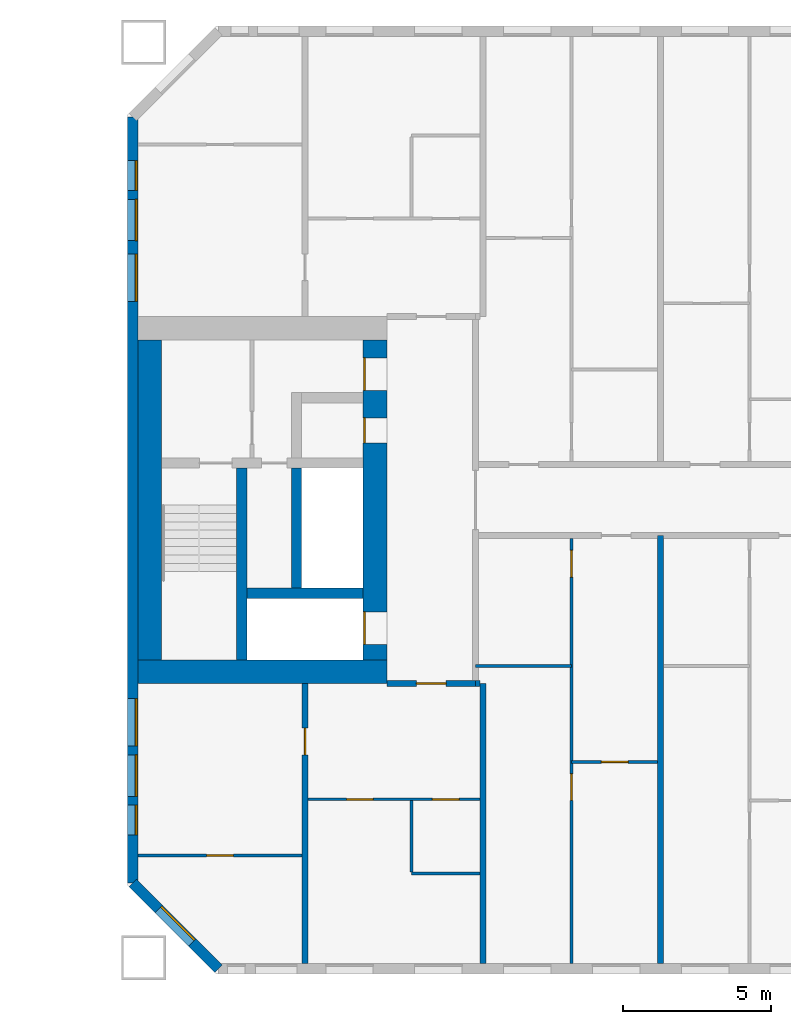
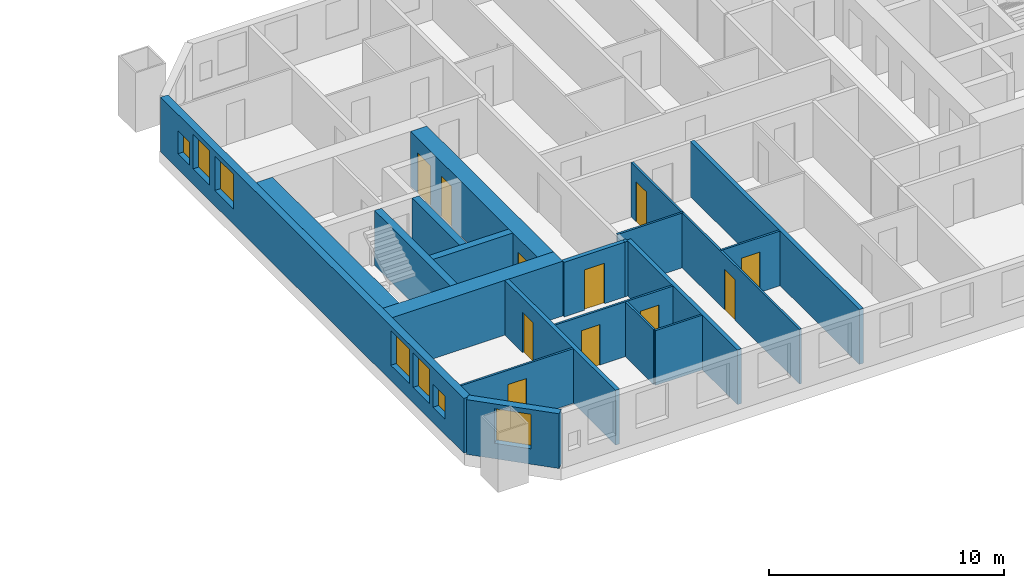
# One storey, part 9 of 17: 20 walls, 11 doors, 7 windows, 18 openings.
"""IFC4 building model written with IfcOpenShell, lengths in metres."""

from ifc_helpers import new_model, si_unit, direction, frame, frame_2d, origin, place, context, subcontext, project, spatial, rectangle, extrude, material, layer, layer_set, type_object, element, fill, save


model = new_model("IFC4")

# Units and contexts
model_context = context("Model", 3, precision=1e-05, world=origin(), true_north=direction((0.0, 1.0)))
body_context = subcontext(model_context, "Body", "Model", "MODEL_VIEW")
ifc_project = project(units=[si_unit("LENGTHUNIT", "METRE"), si_unit("AREAUNIT", "SQUARE_METRE"), si_unit("VOLUMEUNIT", "CUBIC_METRE"), si_unit("PLANEANGLEUNIT", "RADIAN"), si_unit("MASSUNIT", "GRAM", prefix="KILO")], contexts=[model_context])

# Site, building, storey
site_placement = place(None, origin())
site = spatial("IfcSite", under=ifc_project, at=site_placement, CompositionType="ELEMENT")
building_placement = place(site_placement, origin())
building = spatial("IfcBuilding", under=site, at=building_placement, Name="Tuart Gate Housing", CompositionType="ELEMENT")
storey_placement = place(building_placement, frame((0.0, 0.0, 44.300048828125)))
storey = spatial("IfcBuildingStorey", under=building, at=storey_placement, Name="L11", CompositionType="ELEMENT", Elevation=44.300048828125)

# Wall, opening, window
ifc_material_1 = material(Name="Brick", Category="masonry")
ifc_layer_1 = layer(ifc_material_1, 0.360107421875)
ifc_layer_set_1 = layer_set([ifc_layer_1], Name="Brick pier and spandrel wall 360")
wall_type_1 = type_object("IfcWallType", Name="Brick pier and spandrel wall 360", PredefinedType="STANDARD", material=ifc_layer_set_1)
wall_1_placement = place(storey_placement, frame((131.179931640625, 57.07470703125, 0.0), z_axis=(0.0, 0.0, 1.0), x_axis=(0.707106781187, -0.707106781187, 0.0)))
wall_1 = element("IfcWall", 1, at=wall_1_placement, inside=storey, type_object=wall_type_1, Name="External wall B-SW L11", PredefinedType="STANDARD", context=body_context, shape_type="SweptSolid", body=[
    extrude(rectangle(XDim=4.09375, YDim=0.360107421875, at=frame_2d((2.046875, 0.0))), origin(), (0.0, 0.0, 1.0), 2.849853515625),
])
opening_1_placement = place(wall_1_placement, frame((1.2470703125, 0.0, 0.800048828125)))
opening_1 = element("IfcOpeningElement", 2, at=opening_1_placement, cuts=wall_1, Name="Opening W1", PredefinedType="OPENING", context=body_context, shape_type="SweptSolid", body=[
    extrude(rectangle(XDim=1.60009765625, YDim=1.800048828125, at=frame_2d((0.800048828125, 0.89990234375))), frame((0.0, 0.18994140625, 0.0), z_axis=(0.0, -1.0, 0.0), x_axis=(1.0, 0.0, 0.0)), (0.0, 0.0, 1.0), 0.380126953125),
])
ifc_material_2 = material(Name="Aluminium frame with clear glass", Category="aluminium")
window_type_1 = type_object("IfcWindowType", Name="Punched window 1600 x 1800", PartitioningType="SINGLE_PANEL", PredefinedType="WINDOW", material=ifc_material_2)
window_1_placement = place(opening_1_placement, origin())
window_1 = element("IfcWindow", 3, at=window_1_placement, inside=storey, type_object=window_type_1, Name="Window W1", OverallHeight=1.800048828125, OverallWidth=1.60009765625, PartitioningType="SINGLE_PANEL", PredefinedType="WINDOW", context=body_context, shape_type="SweptSolid", body=[
    extrude(rectangle(XDim=1.60009765625, YDim=1.800048828125, at=frame_2d((0.800048828125, 0.89990234375))), frame((0.0, 0.150146484375, 0.0), z_axis=(0.0, -1.0, 0.0), x_axis=(1.0, 0.0, 0.0)), (0.0, 0.0, 1.0), 0.06005859375),
])
fill(opening_1, window_1)

# Wall, openings, windows
wall_2_placement = place(storey_placement, frame((131.179931640625, 82.92529296875, 0.0), z_axis=(0.0, 0.0, 1.0), x_axis=(0.0, -1.0, 0.0)))
wall_2 = element("IfcWall", 4, at=wall_2_placement, inside=storey, type_object=wall_type_1, Name="External wall B-W L11", PredefinedType="STANDARD", context=body_context, shape_type="SweptSolid", body=[
    extrude(rectangle(XDim=25.850830078125, YDim=0.360107421875, at=frame_2d((12.92529296875, 0.0))), origin(), (0.0, 0.0, 1.0), 2.849853515625),
])
opening_2_placement = place(wall_2_placement, frame((1.475341796875, 0.0, 0.800048828125)))
opening_2 = element("IfcOpeningElement", 5, at=opening_2_placement, cuts=wall_2, Name="Opening W1O", PredefinedType="OPENING", context=body_context, shape_type="SweptSolid", body=[
    extrude(rectangle(XDim=1.0, YDim=1.199951171875, at=frame_2d((0.5, 0.60009765625))), frame((0.0, 0.18994140625, 0.0), z_axis=(0.0, -1.0, 0.0), x_axis=(1.0, 0.0, 0.0)), (0.0, 0.0, 1.0), 0.380126953125),
])
opening_3_placement = place(wall_2_placement, frame((4.62548828125, 0.0, 0.800048828125)))
opening_3 = element("IfcOpeningElement", 6, at=opening_3_placement, cuts=wall_2, Name="Opening W1", PredefinedType="OPENING", context=body_context, shape_type="SweptSolid", body=[
    extrude(rectangle(XDim=1.60009765625, YDim=1.800048828125, at=frame_2d((0.800048828125, 0.89990234375))), frame((0.0, 0.18994140625, 0.0), z_axis=(0.0, -1.0, 0.0), x_axis=(1.0, 0.0, 0.0)), (0.0, 0.0, 1.0), 0.380126953125),
])
opening_4_placement = place(wall_2_placement, frame((19.62548828125, 0.0, 0.800048828125)))
opening_4 = element("IfcOpeningElement", 7, at=opening_4_placement, cuts=wall_2, Name="Opening W1", PredefinedType="OPENING", context=body_context, shape_type="SweptSolid", body=[
    extrude(rectangle(XDim=1.60009765625, YDim=1.800048828125, at=frame_2d((0.800048828125, 0.89990234375))), frame((0.0, 0.18994140625, 0.0), z_axis=(0.0, -1.0, 0.0), x_axis=(1.0, 0.0, 0.0)), (0.0, 0.0, 1.0), 0.380126953125),
])
opening_5_placement = place(wall_2_placement, frame((21.525390625, 0.0, 0.800048828125)))
opening_5 = element("IfcOpeningElement", 8, at=opening_5_placement, cuts=wall_2, Name="Opening W1A", PredefinedType="OPENING", context=body_context, shape_type="SweptSolid", body=[
    extrude(rectangle(XDim=1.39990234375, YDim=1.800048828125, at=frame_2d((0.699951171875, 0.89990234375))), frame((0.0, 0.18994140625, 0.0), z_axis=(0.0, -1.0, 0.0), x_axis=(1.0, 0.0, 0.0)), (0.0, 0.0, 1.0), 0.380126953125),
])
opening_6_placement = place(wall_2_placement, frame((2.775390625, 0.0, 0.800048828125)))
opening_6 = element("IfcOpeningElement", 9, at=opening_6_placement, cuts=wall_2, Name="Opening W1A", PredefinedType="OPENING", context=body_context, shape_type="SweptSolid", body=[
    extrude(rectangle(XDim=1.39990234375, YDim=1.800048828125, at=frame_2d((0.699951171875, 0.89990234375))), frame((0.0, 0.18994140625, 0.0), z_axis=(0.0, -1.0, 0.0), x_axis=(1.0, 0.0, 0.0)), (0.0, 0.0, 1.0), 0.380126953125),
])
opening_7_placement = place(wall_2_placement, frame((23.225341796875, 0.0, 0.800048828125)))
opening_7 = element("IfcOpeningElement", 10, at=opening_7_placement, cuts=wall_2, Name="Opening W1O", PredefinedType="OPENING", context=body_context, shape_type="SweptSolid", body=[
    extrude(rectangle(XDim=1.0, YDim=1.199951171875, at=frame_2d((0.5, 0.60009765625))), frame((0.0, 0.18994140625, 0.0), z_axis=(0.0, -1.0, 0.0), x_axis=(1.0, 0.0, 0.0)), (0.0, 0.0, 1.0), 0.380126953125),
])
ifc_material_3 = material(Name="Aluminium frame with clear glass", Category="aluminium")
window_type_2 = type_object("IfcWindowType", Name="Punched window 1000 x 1200", PartitioningType="SINGLE_PANEL", PredefinedType="WINDOW", material=ifc_material_3)
window_2_placement = place(opening_2_placement, origin())
window_2 = element("IfcWindow", 11, at=window_2_placement, inside=storey, type_object=window_type_2, Name="Window W1O", OverallHeight=1.199951171875, OverallWidth=1.0, PartitioningType="SINGLE_PANEL", PredefinedType="WINDOW", context=body_context, shape_type="SweptSolid", body=[
    extrude(rectangle(XDim=1.0, YDim=1.199951171875, at=frame_2d((0.5, 0.60009765625))), frame((0.0, 0.150146484375, 0.0), z_axis=(0.0, -1.0, 0.0), x_axis=(1.0, 0.0, 0.0)), (0.0, 0.0, 1.0), 0.06005859375),
])
fill(opening_2, window_2)
window_3_placement = place(opening_7_placement, origin())
window_3 = element("IfcWindow", 12, at=window_3_placement, inside=storey, type_object=window_type_2, Name="Window W1O", OverallHeight=1.199951171875, OverallWidth=1.0, PartitioningType="SINGLE_PANEL", PredefinedType="WINDOW", context=body_context, shape_type="SweptSolid", body=[
    extrude(rectangle(XDim=1.0, YDim=1.199951171875, at=frame_2d((0.5, 0.60009765625))), frame((0.0, 0.150146484375, 0.0), z_axis=(0.0, -1.0, 0.0), x_axis=(1.0, 0.0, 0.0)), (0.0, 0.0, 1.0), 0.06005859375),
])
fill(opening_7, window_3)
ifc_material_4 = material(Name="Aluminium frame with clear glass", Category="aluminium")
window_type_3 = type_object("IfcWindowType", Name="Punched window 1400 x 1800", PartitioningType="SINGLE_PANEL", PredefinedType="WINDOW", material=ifc_material_4)
window_4_placement = place(opening_5_placement, origin())
window_4 = element("IfcWindow", 13, at=window_4_placement, inside=storey, type_object=window_type_3, Name="Window W1A", OverallHeight=1.800048828125, OverallWidth=1.39990234375, PartitioningType="SINGLE_PANEL", PredefinedType="WINDOW", context=body_context, shape_type="SweptSolid", body=[
    extrude(rectangle(XDim=1.39990234375, YDim=1.800048828125, at=frame_2d((0.699951171875, 0.89990234375))), frame((0.0, 0.150146484375, 0.0), z_axis=(0.0, -1.0, 0.0), x_axis=(1.0, 0.0, 0.0)), (0.0, 0.0, 1.0), 0.06005859375),
])
fill(opening_5, window_4)
window_5_placement = place(opening_6_placement, origin())
window_5 = element("IfcWindow", 14, at=window_5_placement, inside=storey, type_object=window_type_3, Name="Window W1A", OverallHeight=1.800048828125, OverallWidth=1.39990234375, PartitioningType="SINGLE_PANEL", PredefinedType="WINDOW", context=body_context, shape_type="SweptSolid", body=[
    extrude(rectangle(XDim=1.39990234375, YDim=1.800048828125, at=frame_2d((0.699951171875, 0.89990234375))), frame((0.0, 0.150146484375, 0.0), z_axis=(0.0, -1.0, 0.0), x_axis=(1.0, 0.0, 0.0)), (0.0, 0.0, 1.0), 0.06005859375),
])
fill(opening_6, window_5)
window_6_placement = place(opening_3_placement, origin())
window_6 = element("IfcWindow", 15, at=window_6_placement, inside=storey, type_object=window_type_1, Name="Window W1", OverallHeight=1.800048828125, OverallWidth=1.60009765625, PartitioningType="SINGLE_PANEL", PredefinedType="WINDOW", context=body_context, shape_type="SweptSolid", body=[
    extrude(rectangle(XDim=1.60009765625, YDim=1.800048828125, at=frame_2d((0.800048828125, 0.89990234375))), frame((0.0, 0.150146484375, 0.0), z_axis=(0.0, -1.0, 0.0), x_axis=(1.0, 0.0, 0.0)), (0.0, 0.0, 1.0), 0.06005859375),
])
fill(opening_3, window_6)
window_7_placement = place(opening_4_placement, origin())
window_7 = element("IfcWindow", 16, at=window_7_placement, inside=storey, type_object=window_type_1, Name="Window W1", OverallHeight=1.800048828125, OverallWidth=1.60009765625, PartitioningType="SINGLE_PANEL", PredefinedType="WINDOW", context=body_context, shape_type="SweptSolid", body=[
    extrude(rectangle(XDim=1.60009765625, YDim=1.800048828125, at=frame_2d((0.800048828125, 0.89990234375))), frame((0.0, 0.150146484375, 0.0), z_axis=(0.0, -1.0, 0.0), x_axis=(1.0, 0.0, 0.0)), (0.0, 0.0, 1.0), 0.06005859375),
])
fill(opening_4, window_7)

# Walls
ifc_material_5 = material(Name="Concrete C60", Category="concrete")
ifc_layer_2 = layer(ifc_material_5, 0.35009765625)
ifc_layer_set_2 = layer_set([ifc_layer_2], Name="Core wall 350 C60")
wall_type_2 = type_object("IfcWallType", Name="Core wall 350 C60", PredefinedType="SHEAR", material=ifc_layer_set_2)
wall_3_placement = place(storey_placement, frame((138.9599609375, 66.85009765625, 0.0), z_axis=(0.0, 0.0, 1.0), x_axis=(-1.0, 0.0, 0.0)))
element("IfcWall", 17, at=wall_3_placement, inside=storey, type_object=wall_type_2, Name="Core wall BG.1", PredefinedType="SHEAR", context=body_context, shape_type="SweptSolid", body=[
    extrude(rectangle(XDim=3.925048828125, YDim=0.35009765625, at=frame_2d((1.96240234375, 0.0))), origin(), (0.0, 0.0, 1.0), 2.849853515625),
])
wall_4_placement = place(storey_placement, frame((136.7099609375, 67.02490234375, 0.0), z_axis=(0.0, 0.0, 1.0), x_axis=(0.0, 1.0, 0.0)))
element("IfcWall", 18, at=wall_4_placement, inside=storey, type_object=wall_type_2, Name="Core wall BG.4", PredefinedType="SHEAR", context=body_context, shape_type="SweptSolid", body=[
    extrude(rectangle(XDim=4.050048828125, YDim=0.35009765625, at=frame_2d((2.02490234375, 0.0))), origin(), (0.0, 0.0, 1.0), 2.849853515625),
])
wall_5_placement = place(storey_placement, frame((134.860107421875, 64.60009765625, 0.0), z_axis=(0.0, 0.0, 1.0), x_axis=(0.0, 1.0, 0.0)))
element("IfcWall", 19, at=wall_5_placement, inside=storey, type_object=wall_type_2, Name="Core wall BG.7", PredefinedType="SHEAR", context=body_context, shape_type="SweptSolid", body=[
    extrude(rectangle(XDim=6.474853515625, YDim=0.35009765625, at=frame_2d((3.2373046875, 0.0))), origin(), (0.0, 0.0, 1.0), 2.849853515625),
])

# Wall, openings, doors
ifc_material_6 = material(Name="Concrete C60", Category="concrete")
ifc_layer_3 = layer(ifc_material_6, 0.800048828125)
ifc_layer_set_3 = layer_set([ifc_layer_3], Name="Core wall 800 C60")
wall_type_3 = type_object("IfcWallType", Name="Core wall 800 C60", PredefinedType="SHEAR", material=ifc_layer_set_3)
wall_6_placement = place(storey_placement, frame((139.360107421875, 64.60009765625, 0.0), z_axis=(0.0, 0.0, 1.0), x_axis=(0.0, 1.0, 0.0)))
wall_6 = element("IfcWall", 20, at=wall_6_placement, inside=storey, type_object=wall_type_3, Name="Core wall BG front", PredefinedType="SHEAR", context=body_context, shape_type="SweptSolid", body=[
    extrude(rectangle(XDim=10.7998046875, YDim=0.800048828125, at=frame_2d((5.39990234375, 0.0))), origin(), (0.0, 0.0, 1.0), 2.849853515625),
])
opening_8_placement = place(wall_6_placement, frame((0.52490234375, 0.0, 0.0)))
opening_8 = element("IfcOpeningElement", 21, at=opening_8_placement, cuts=wall_6, Name="Opening LD-FB1", PredefinedType="OPENING", context=body_context, shape_type="SweptSolid", body=[
    extrude(rectangle(XDim=1.10009765625, YDim=2.10009765625, at=frame_2d((0.550048828125, 1.050048828125))), frame((0.0, 0.409912109375, 0.0), z_axis=(0.0, -1.0, 0.0), x_axis=(1.0, 0.0, 0.0)), (0.0, 0.0, 1.0), 0.820068359375),
])
opening_9_placement = place(wall_6_placement, frame((9.10009765625, 0.0, 0.0)))
opening_9 = element("IfcOpeningElement", 22, at=opening_9_placement, cuts=wall_6, Name="Opening D682", PredefinedType="OPENING", context=body_context, shape_type="SweptSolid", body=[
    extrude(rectangle(XDim=1.10009765625, YDim=2.10009765625, at=frame_2d((0.550048828125, 1.050048828125))), frame((0.0, 0.409912109375, 0.0), z_axis=(0.0, -1.0, 0.0), x_axis=(1.0, 0.0, 0.0)), (0.0, 0.0, 1.0), 0.820068359375),
])
opening_10_placement = place(wall_6_placement, frame((7.324951171875, 0.0, 0.0)))
opening_10 = element("IfcOpeningElement", 23, at=opening_10_placement, cuts=wall_6, Name="Opening D683", PredefinedType="OPENING", context=body_context, shape_type="SweptSolid", body=[
    extrude(rectangle(XDim=0.85009765625, YDim=2.10009765625, at=frame_2d((0.425048828125, 1.050048828125))), frame((0.0, 0.409912109375, 0.0), z_axis=(0.0, -1.0, 0.0), x_axis=(1.0, 0.0, 0.0)), (0.0, 0.0, 1.0), 0.820068359375),
])
ifc_material_7 = material(Name="Stainless steel", Category="steel")
door_type_1 = type_object("IfcDoorType", Name="Landing door 1100 x 2100", OperationType="DOUBLE_DOOR_SLIDING", PredefinedType="DOOR", material=ifc_material_7)
door_1_placement = place(opening_8_placement, origin())
door_1 = element("IfcDoor", 24, at=door_1_placement, inside=storey, type_object=door_type_1, Name="Lift landing door FB1", OperationType="DOUBLE_DOOR_SLIDING", OverallHeight=2.10009765625, OverallWidth=1.10009765625, PredefinedType="DOOR", context=body_context, shape_type="SweptSolid", body=[
    extrude(rectangle(XDim=1.10009765625, YDim=2.10009765625, at=frame_2d((0.550048828125, 1.050048828125))), frame((0.0, 0.38525390625, 0.0), z_axis=(0.0, -1.0, 0.0), x_axis=(1.0, 0.0, 0.0)), (0.0, 0.0, 1.0), 0.050048828125),
])
fill(opening_8, door_1)
ifc_material_8 = material(Name="Steel fire door", Category="steel")
door_type_2 = type_object("IfcDoorType", Name="Lobby door 1100 x 2100", OperationType="SINGLE_SWING_LEFT", PredefinedType="DOOR", material=ifc_material_8)
door_2_placement = place(opening_9_placement, origin())
door_2 = element("IfcDoor", 25, at=door_2_placement, inside=storey, type_object=door_type_2, Name="Lobby entry door BG.EN", OperationType="SINGLE_SWING_LEFT", OverallHeight=2.10009765625, OverallWidth=1.10009765625, PredefinedType="DOOR", context=body_context, shape_type="SweptSolid", body=[
    extrude(rectangle(XDim=1.10009765625, YDim=2.10009765625, at=frame_2d((0.550048828125, 1.050048828125))), frame((0.0, 0.38525390625, 0.0), z_axis=(0.0, -1.0, 0.0), x_axis=(1.0, 0.0, 0.0)), (0.0, 0.0, 1.0), 0.050048828125),
])
fill(opening_9, door_2)
ifc_material_9 = material(Name="Steel fire door", Category="steel")
door_type_3 = type_object("IfcDoorType", Name="Service door 850 x 2100", OperationType="SINGLE_SWING_LEFT", PredefinedType="DOOR", material=ifc_material_9)
door_3_placement = place(opening_10_placement, origin())
door_3 = element("IfcDoor", 26, at=door_3_placement, inside=storey, type_object=door_type_3, Name="Service room door BG.T1", OperationType="SINGLE_SWING_LEFT", OverallHeight=2.10009765625, OverallWidth=0.85009765625, PredefinedType="DOOR", context=body_context, shape_type="SweptSolid", body=[
    extrude(rectangle(XDim=0.85009765625, YDim=2.10009765625, at=frame_2d((0.425048828125, 1.050048828125))), frame((0.0, 0.38525390625, 0.0), z_axis=(0.0, -1.0, 0.0), x_axis=(1.0, 0.0, 0.0)), (0.0, 0.0, 1.0), 0.050048828125),
])
fill(opening_10, door_3)

# Walls
wall_7_placement = place(storey_placement, frame((131.760009765625, 64.60009765625, 0.0), z_axis=(0.0, 0.0, 1.0), x_axis=(0.0, 1.0, 0.0)))
element("IfcWall", 27, at=wall_7_placement, inside=storey, type_object=wall_type_3, Name="Core wall BG back", PredefinedType="SHEAR", context=body_context, shape_type="SweptSolid", body=[
    extrude(rectangle(XDim=10.7998046875, YDim=0.800048828125, at=frame_2d((5.39990234375, 0.0))), origin(), (0.0, 0.0, 1.0), 2.849853515625),
])
wall_8_placement = place(storey_placement, frame((139.760009765625, 64.199951171875, 0.0), z_axis=(0.0, 0.0, 1.0), x_axis=(-1.0, 0.0, 0.0)))
element("IfcWall", 28, at=wall_8_placement, inside=storey, type_object=wall_type_3, Name="Core wall BG south", PredefinedType="SHEAR", context=body_context, shape_type="SweptSolid", body=[
    extrude(rectangle(XDim=8.39990234375, YDim=0.800048828125, at=frame_2d((4.199951171875, 0.0))), origin(), (0.0, 0.0, 1.0), 2.849853515625),
])

# Wall, opening, door
ifc_material_10 = material(Name="Concrete masonry 15 MPa", Category="masonry")
ifc_layer_4 = layer(ifc_material_10, 0.199951171875)
ifc_layer_set_4 = layer_set([ifc_layer_4], Name="Enclosure wall masonry 200")
wall_type_4 = type_object("IfcWallType", Name="Enclosure wall masonry 200", PredefinedType="PARTITIONING", material=ifc_layer_set_4)
wall_9_placement = place(storey_placement, frame((139.760009765625, 63.800048828125, 0.0), z_axis=(0.0, 0.0, 1.0), x_axis=(1.0, 0.0, 0.0)))
wall_9 = element("IfcWall", 29, at=wall_9_placement, inside=storey, type_object=wall_type_4, Name="Enclosure wall masonry 200", PredefinedType="PARTITIONING", context=body_context, shape_type="SweptSolid", body=[
    extrude(rectangle(XDim=3.0, YDim=0.199951171875, at=frame_2d((1.5, 0.0))), origin(), (0.0, 0.0, 1.0), 2.849853515625),
])
opening_11_placement = place(wall_9_placement, frame((1.0, 0.0, 0.0)))
opening_11 = element("IfcOpeningElement", 30, at=opening_11_placement, cuts=wall_9, Name="Opening D694", PredefinedType="OPENING", context=body_context, shape_type="SweptSolid", body=[
    extrude(rectangle(XDim=1.0, YDim=2.10009765625, at=frame_2d((0.5, 1.050048828125))), frame((0.0, 0.10986328125, 0.0), z_axis=(0.0, -1.0, 0.0), x_axis=(1.0, 0.0, 0.0)), (0.0, 0.0, 1.0), 0.219970703125),
])
ifc_material_11 = material(Name="Timber door leaf in steel frame", Category="steel")
door_type_4 = type_object("IfcDoorType", Name="Flat entrance door 1000", OperationType="SINGLE_SWING_LEFT", PredefinedType="DOOR", material=ifc_material_11)
door_4_placement = place(opening_11_placement, frame((1.0, 0.0, 0.0), z_axis=(0.0, 0.0, 1.0), x_axis=(-1.0, 0.0, 0.0)))
door_4 = element("IfcDoor", 31, at=door_4_placement, inside=storey, type_object=door_type_4, Name="Flat entrance door", OperationType="SINGLE_SWING_LEFT", OverallHeight=2.10009765625, OverallWidth=1.0, PredefinedType="DOOR", context=body_context, shape_type="SweptSolid", body=[
    extrude(rectangle(XDim=1.0, YDim=2.10009765625, at=frame_2d((0.5, 1.050048828125))), frame((0.0, 0.025146484375, 0.0), z_axis=(0.0, -1.0, 0.0), x_axis=(1.0, 0.0, 0.0)), (0.0, 0.0, 1.0), 0.050048828125),
])
fill(opening_11, door_4)

# Wall
ifc_material_12 = material(Name="Gypsum board on steel studs", Category="steel")
ifc_layer_5 = layer(ifc_material_12, 0.10009765625)
ifc_layer_set_5 = layer_set([ifc_layer_5], Name="Partition 100")
wall_type_5 = type_object("IfcWallType", Name="Partition 100", PredefinedType="PARTITIONING", material=ifc_layer_set_5)
wall_10_placement = place(storey_placement, frame((140.60009765625, 57.39990234375, 0.0), z_axis=(0.0, 0.0, 1.0), x_axis=(1.0, 0.0, 0.0)))
element("IfcWall", 32, at=wall_10_placement, inside=storey, type_object=wall_type_5, Name="Partition 100", PredefinedType="PARTITIONING", context=body_context, shape_type="SweptSolid", body=[
    extrude(rectangle(XDim=2.2998046875, YDim=0.10009765625, at=frame_2d((1.14990234375, 0.0))), origin(), (0.0, 0.0, 1.0), 2.849853515625),
])

# Wall, opening, door
wall_11_placement = place(storey_placement, frame((131.360107421875, 58.0, 0.0), z_axis=(0.0, 0.0, 1.0), x_axis=(1.0, 0.0, 0.0)))
wall_11 = element("IfcWall", 33, at=wall_11_placement, inside=storey, type_object=wall_type_5, Name="Partition 100", PredefinedType="PARTITIONING", context=body_context, shape_type="SweptSolid", body=[
    extrude(rectangle(XDim=5.539794921875, YDim=0.10009765625, at=frame_2d((2.77001953125, 0.0))), origin(), (0.0, 0.0, 1.0), 2.849853515625),
])
opening_12_placement = place(wall_11_placement, frame((2.320068359375, 0.0, 0.0)))
opening_12 = element("IfcOpeningElement", 34, at=opening_12_placement, cuts=wall_11, Name="Opening D707", PredefinedType="OPENING", context=body_context, shape_type="SweptSolid", body=[
    extrude(rectangle(XDim=0.89990234375, YDim=2.10009765625, at=frame_2d((0.449951171875, 1.050048828125))), frame((0.0, 0.06005859375, 0.0), z_axis=(0.0, -1.0, 0.0), x_axis=(1.0, 0.0, 0.0)), (0.0, 0.0, 1.0), 0.1201171875),
])
ifc_material_13 = material(Name="Timber door leaf in steel frame", Category="steel")
door_type_5 = type_object("IfcDoorType", Name="Internal door 900 RH", OperationType="SINGLE_SWING_RIGHT", PredefinedType="DOOR", material=ifc_material_13)
door_5_placement = place(opening_12_placement, frame((0.89990234375, 0.0, 0.0), z_axis=(0.0, 0.0, 1.0), x_axis=(-1.0, 0.0, 0.0)))
door_5 = element("IfcDoor", 35, at=door_5_placement, inside=storey, type_object=door_type_5, Name="Internal door", OperationType="SINGLE_SWING_RIGHT", OverallHeight=2.10009765625, OverallWidth=0.89990234375, PredefinedType="DOOR", context=body_context, shape_type="SweptSolid", body=[
    extrude(rectangle(XDim=0.89990234375, YDim=2.10009765625, at=frame_2d((0.449951171875, 1.050048828125))), frame((0.0, 0.025146484375, 0.0), z_axis=(0.0, -1.0, 0.0), x_axis=(1.0, 0.0, 0.0)), (0.0, 0.0, 1.0), 0.050048828125),
])
fill(opening_12, door_5)

# Wall, openings, doors
wall_12_placement = place(storey_placement, frame((137.10009765625, 59.89990234375, 0.0), z_axis=(0.0, 0.0, 1.0), x_axis=(1.0, 0.0, 0.0)))
wall_12 = element("IfcWall", 36, at=wall_12_placement, inside=storey, type_object=wall_type_5, Name="Partition 100", PredefinedType="PARTITIONING", context=body_context, shape_type="SweptSolid", body=[
    extrude(rectangle(XDim=5.7998046875, YDim=0.10009765625, at=frame_2d((2.89990234375, 0.0))), origin(), (0.0, 0.0, 1.0), 2.849853515625),
])
opening_13_placement = place(wall_12_placement, frame((1.300048828125, 0.0, 0.0)))
opening_13 = element("IfcOpeningElement", 37, at=opening_13_placement, cuts=wall_12, Name="Opening D704", PredefinedType="OPENING", context=body_context, shape_type="SweptSolid", body=[
    extrude(rectangle(XDim=0.89990234375, YDim=2.10009765625, at=frame_2d((0.449951171875, 1.050048828125))), frame((0.0, 0.06005859375, 0.0), z_axis=(0.0, -1.0, 0.0), x_axis=(1.0, 0.0, 0.0)), (0.0, 0.0, 1.0), 0.1201171875),
])
opening_14_placement = place(wall_12_placement, frame((4.199951171875, 0.0, 0.0)))
opening_14 = element("IfcOpeningElement", 38, at=opening_14_placement, cuts=wall_12, Name="Opening D703", PredefinedType="OPENING", context=body_context, shape_type="SweptSolid", body=[
    extrude(rectangle(XDim=0.89990234375, YDim=2.10009765625, at=frame_2d((0.449951171875, 1.050048828125))), frame((0.0, 0.06005859375, 0.0), z_axis=(0.0, -1.0, 0.0), x_axis=(1.0, 0.0, 0.0)), (0.0, 0.0, 1.0), 0.1201171875),
])
ifc_material_14 = material(Name="Timber door leaf in steel frame", Category="steel")
door_type_6 = type_object("IfcDoorType", Name="Bathroom door 900 RH", OperationType="SINGLE_SWING_RIGHT", PredefinedType="DOOR", material=ifc_material_14)
door_6_placement = place(opening_14_placement, frame((0.89990234375, 0.0, 0.0), z_axis=(0.0, 0.0, 1.0), x_axis=(-1.0, 0.0, 0.0)))
door_6 = element("IfcDoor", 39, at=door_6_placement, inside=storey, type_object=door_type_6, Name="Bathroom door", OperationType="SINGLE_SWING_RIGHT", OverallHeight=2.10009765625, OverallWidth=0.89990234375, PredefinedType="DOOR", context=body_context, shape_type="SweptSolid", body=[
    extrude(rectangle(XDim=0.89990234375, YDim=2.10009765625, at=frame_2d((0.449951171875, 1.050048828125))), frame((0.0, 0.025146484375, 0.0), z_axis=(0.0, -1.0, 0.0), x_axis=(1.0, 0.0, 0.0)), (0.0, 0.0, 1.0), 0.050048828125),
])
fill(opening_14, door_6)
ifc_material_15 = material(Name="Timber door leaf in steel frame", Category="steel")
door_type_7 = type_object("IfcDoorType", Name="Internal door 900", OperationType="SINGLE_SWING_LEFT", PredefinedType="DOOR", material=ifc_material_15)
door_7_placement = place(opening_13_placement, frame((0.89990234375, 0.0, 0.0), z_axis=(0.0, 0.0, 1.0), x_axis=(-1.0, 0.0, 0.0)))
door_7 = element("IfcDoor", 40, at=door_7_placement, inside=storey, type_object=door_type_7, Name="Internal door", OperationType="SINGLE_SWING_LEFT", OverallHeight=2.10009765625, OverallWidth=0.89990234375, PredefinedType="DOOR", context=body_context, shape_type="SweptSolid", body=[
    extrude(rectangle(XDim=0.89990234375, YDim=2.10009765625, at=frame_2d((0.449951171875, 1.050048828125))), frame((0.0, 0.025146484375, 0.0), z_axis=(0.0, -1.0, 0.0), x_axis=(1.0, 0.0, 0.0)), (0.0, 0.0, 1.0), 0.050048828125),
])
fill(opening_13, door_7)

# Wall, opening, door
wall_13_placement = place(storey_placement, frame((146.0, 61.159912109375, 0.0), z_axis=(0.0, 0.0, 1.0), x_axis=(1.0, 0.0, 0.0)))
wall_13 = element("IfcWall", 41, at=wall_13_placement, inside=storey, type_object=wall_type_5, Name="Partition 100", PredefinedType="PARTITIONING", context=body_context, shape_type="SweptSolid", body=[
    extrude(rectangle(XDim=2.89990234375, YDim=0.10009765625, at=frame_2d((1.449951171875, 0.0))), origin(), (0.0, 0.0, 1.0), 2.849853515625),
])
opening_15_placement = place(wall_13_placement, frame((1.0, 0.0, 0.0)))
opening_15 = element("IfcOpeningElement", 42, at=opening_15_placement, cuts=wall_13, Name="Opening D702", PredefinedType="OPENING", context=body_context, shape_type="SweptSolid", body=[
    extrude(rectangle(XDim=0.89990234375, YDim=2.10009765625, at=frame_2d((0.449951171875, 1.050048828125))), frame((0.0, 0.06005859375, 0.0), z_axis=(0.0, -1.0, 0.0), x_axis=(1.0, 0.0, 0.0)), (0.0, 0.0, 1.0), 0.1201171875),
])
door_8_placement = place(opening_15_placement, origin())
door_8 = element("IfcDoor", 43, at=door_8_placement, inside=storey, type_object=door_type_7, Name="Internal door", OperationType="SINGLE_SWING_LEFT", OverallHeight=2.10009765625, OverallWidth=0.89990234375, PredefinedType="DOOR", context=body_context, shape_type="SweptSolid", body=[
    extrude(rectangle(XDim=0.89990234375, YDim=2.10009765625, at=frame_2d((0.449951171875, 1.050048828125))), frame((0.0, 0.02490234375, 0.0), z_axis=(0.0, -1.0, 0.0), x_axis=(1.0, 0.0, 0.0)), (0.0, 0.0, 1.0), 0.050048828125),
])
fill(opening_15, door_8)

# Walls
wall_14_placement = place(storey_placement, frame((142.760009765625, 64.39990234375, 0.0), z_axis=(0.0, 0.0, 1.0), x_axis=(1.0, 0.0, 0.0)))
element("IfcWall", 44, at=wall_14_placement, inside=storey, type_object=wall_type_5, Name="Partition 100", PredefinedType="PARTITIONING", context=body_context, shape_type="SweptSolid", body=[
    extrude(rectangle(XDim=3.239990234375, YDim=0.10009765625, at=frame_2d((1.6201171875, 0.0))), origin(), (0.0, 0.0, 1.0), 2.849853515625),
])
wall_15_placement = place(storey_placement, frame((140.60009765625, 57.449951171875, 0.0), z_axis=(0.0, 0.0, 1.0), x_axis=(0.0, 1.0, 0.0)))
element("IfcWall", 45, at=wall_15_placement, inside=storey, type_object=wall_type_5, Name="Partition 100", PredefinedType="PARTITIONING", context=body_context, shape_type="SweptSolid", body=[
    extrude(rectangle(XDim=2.400146484375, YDim=0.10009765625, at=frame_2d((1.2001953125, 0.0))), origin(), (0.0, 0.0, 1.0), 2.849853515625),
])

# Wall, openings, doors
wall_16_placement = place(storey_placement, frame((146.0, 54.360107421875, 0.0), z_axis=(0.0, 0.0, 1.0), x_axis=(0.0, 1.0, 0.0)))
wall_16 = element("IfcWall", 46, at=wall_16_placement, inside=storey, type_object=wall_type_5, Name="Partition 100", PredefinedType="PARTITIONING", context=body_context, shape_type="SweptSolid", body=[
    extrude(rectangle(XDim=14.33984375, YDim=0.10009765625, at=frame_2d((7.169921875, 0.0))), origin(), (0.0, 0.0, 1.0), 2.849853515625),
])
opening_16_placement = place(wall_16_placement, frame((5.5, 0.0, 0.0)))
opening_16 = element("IfcOpeningElement", 47, at=opening_16_placement, cuts=wall_16, Name="Opening D697", PredefinedType="OPENING", context=body_context, shape_type="SweptSolid", body=[
    extrude(rectangle(XDim=0.89990234375, YDim=2.10009765625, at=frame_2d((0.449951171875, 1.050048828125))), frame((0.0, 0.06005859375, 0.0), z_axis=(0.0, -1.0, 0.0), x_axis=(1.0, 0.0, 0.0)), (0.0, 0.0, 1.0), 0.1201171875),
])
opening_17_placement = place(wall_16_placement, frame((13.0400390625, 0.0, 0.0)))
opening_17 = element("IfcOpeningElement", 48, at=opening_17_placement, cuts=wall_16, Name="Opening D696", PredefinedType="OPENING", context=body_context, shape_type="SweptSolid", body=[
    extrude(rectangle(XDim=0.89990234375, YDim=2.10009765625, at=frame_2d((0.449951171875, 1.050048828125))), frame((0.0, 0.06005859375, 0.0), z_axis=(0.0, -1.0, 0.0), x_axis=(1.0, 0.0, 0.0)), (0.0, 0.0, 1.0), 0.1201171875),
])
door_9_placement = place(opening_17_placement, origin())
door_9 = element("IfcDoor", 49, at=door_9_placement, inside=storey, type_object=door_type_6, Name="Bathroom door", OperationType="SINGLE_SWING_RIGHT", OverallHeight=2.10009765625, OverallWidth=0.89990234375, PredefinedType="DOOR", context=body_context, shape_type="SweptSolid", body=[
    extrude(rectangle(XDim=0.89990234375, YDim=2.10009765625, at=frame_2d((0.449951171875, 1.050048828125))), frame((0.0, 0.02490234375, 0.0), z_axis=(0.0, -1.0, 0.0), x_axis=(1.0, 0.0, 0.0)), (0.0, 0.0, 1.0), 0.050048828125),
])
fill(opening_17, door_9)
door_10_placement = place(opening_16_placement, origin())
door_10 = element("IfcDoor", 50, at=door_10_placement, inside=storey, type_object=door_type_5, Name="Internal door", OperationType="SINGLE_SWING_RIGHT", OverallHeight=2.10009765625, OverallWidth=0.89990234375, PredefinedType="DOOR", context=body_context, shape_type="SweptSolid", body=[
    extrude(rectangle(XDim=0.89990234375, YDim=2.10009765625, at=frame_2d((0.449951171875, 1.050048828125))), frame((0.0, 0.02490234375, 0.0), z_axis=(0.0, -1.0, 0.0), x_axis=(1.0, 0.0, 0.0)), (0.0, 0.0, 1.0), 0.050048828125),
])
fill(opening_16, door_10)

# Wall, opening, door
ifc_material_16 = material(Name="Concrete C40", Category="concrete")
ifc_layer_6 = layer(ifc_material_16, 0.199951171875)
ifc_layer_set_6 = layer_set([ifc_layer_6], Name="Party wall concrete C40 200")
wall_type_6 = type_object("IfcWallType", Name="Party wall concrete C40 200", PredefinedType="SOLIDWALL", material=ifc_layer_set_6)
wall_17_placement = place(storey_placement, frame((137.0, 54.360107421875, 0.0), z_axis=(0.0, 0.0, 1.0), x_axis=(0.0, 1.0, 0.0)))
wall_17 = element("IfcWall", 51, at=wall_17_placement, inside=storey, type_object=wall_type_6, Name="Party wall concrete C40 200", PredefinedType="SOLIDWALL", context=body_context, shape_type="SweptSolid", body=[
    extrude(rectangle(XDim=9.43994140625, YDim=0.199951171875, at=frame_2d((4.719970703125, 0.0))), origin(), (0.0, 0.0, 1.0), 2.849853515625),
])
opening_18_placement = place(wall_17_placement, frame((7.0400390625, 0.0, 0.0)))
opening_18 = element("IfcOpeningElement", 52, at=opening_18_placement, cuts=wall_17, Name="Opening D706", PredefinedType="OPENING", context=body_context, shape_type="SweptSolid", body=[
    extrude(rectangle(XDim=0.89990234375, YDim=2.10009765625, at=frame_2d((0.449951171875, 1.050048828125))), frame((0.0, 0.10986328125, 0.0), z_axis=(0.0, -1.0, 0.0), x_axis=(1.0, 0.0, 0.0)), (0.0, 0.0, 1.0), 0.219970703125),
])
door_11_placement = place(opening_18_placement, frame((0.89990234375, 0.0, 0.0), z_axis=(0.0, 0.0, 1.0), x_axis=(-1.0, 0.0, 0.0)))
door_11 = element("IfcDoor", 53, at=door_11_placement, inside=storey, type_object=door_type_5, Name="Internal door", OperationType="SINGLE_SWING_RIGHT", OverallHeight=2.10009765625, OverallWidth=0.89990234375, PredefinedType="DOOR", context=body_context, shape_type="SweptSolid", body=[
    extrude(rectangle(XDim=0.89990234375, YDim=2.10009765625, at=frame_2d((0.449951171875, 1.050048828125))), frame((0.0, 0.025146484375, 0.0), z_axis=(0.0, -1.0, 0.0), x_axis=(1.0, 0.0, 0.0)), (0.0, 0.0, 1.0), 0.050048828125),
])
fill(opening_18, door_11)

# Walls
wall_18_placement = place(storey_placement, frame((143.0, 54.360107421875, 0.0), z_axis=(0.0, 0.0, 1.0), x_axis=(0.0, 1.0, 0.0)))
element("IfcWall", 54, at=wall_18_placement, inside=storey, type_object=wall_type_6, Name="Party wall concrete C40 200", PredefinedType="SOLIDWALL", context=body_context, shape_type="SweptSolid", body=[
    extrude(rectangle(XDim=9.43994140625, YDim=0.199951171875, at=frame_2d((4.719970703125, 0.0))), origin(), (0.0, 0.0, 1.0), 2.849853515625),
])
wall_19_placement = place(storey_placement, frame((149.0, 54.360107421875, 0.0), z_axis=(0.0, 0.0, 1.0), x_axis=(0.0, 1.0, 0.0)))
element("IfcWall", 55, at=wall_19_placement, inside=storey, type_object=wall_type_6, Name="Party wall concrete C40 200", PredefinedType="SOLIDWALL", context=body_context, shape_type="SweptSolid", body=[
    extrude(rectangle(XDim=14.43994140625, YDim=0.199951171875, at=frame_2d((7.219970703125, 0.0))), origin(), (0.0, 0.0, 1.0), 2.849853515625),
])
ifc_material_17 = material(Name="Concrete masonry 15 MPa", Category="masonry")
ifc_layer_7 = layer(ifc_material_17, 0.199951171875)
ifc_layer_set_7 = layer_set([ifc_layer_7], Name="Party wall masonry 200")
wall_type_7 = type_object("IfcWallType", Name="Party wall masonry 200", PredefinedType="PARTITIONING", material=ifc_layer_set_7)
wall_20_placement = place(storey_placement, frame((142.760009765625, 63.800048828125, 0.0), z_axis=(0.0, 0.0, 1.0), x_axis=(1.0, 0.0, 0.0)))
element("IfcWall", 56, at=wall_20_placement, inside=storey, type_object=wall_type_7, Name="Party wall masonry 200", PredefinedType="PARTITIONING", context=body_context, shape_type="SweptSolid", body=[
    extrude(rectangle(XDim=0.139892578125, YDim=0.199951171875, at=frame_2d((0.06982421875, 0.0))), origin(), (0.0, 0.0, 1.0), 2.849853515625),
])

save(model, "model.ifc")
